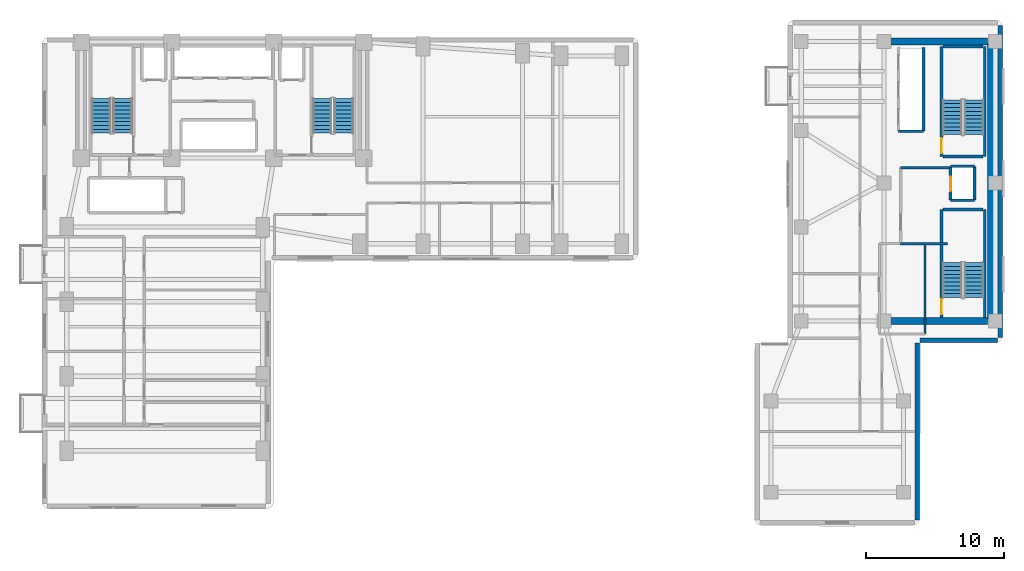
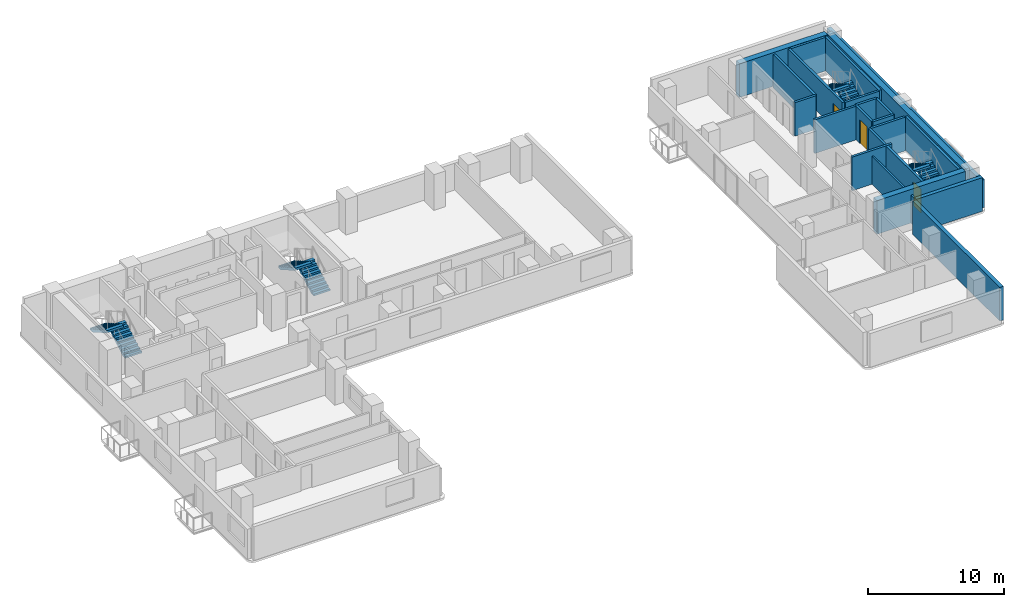
# One storey, part 13 of 17: 22 walls, 8 stair flights, 3 doors, 3 openings, 4 elements without a shape of their own.
"""IFC4 building model written with IfcOpenShell, lengths in metres."""

import ifcopenshell
import ifcopenshell.guid

model = None  # the IFC model being written
_history = None  # IfcOwnerHistory: only IFC2X3 demands one
_inside = {}  # id of a spatial element -> (the spatial element, [elements in it])
_under = {}  # id of a project, library or spatial element -> (it, [spatial elements below it])
_declared = {}  # id of a project -> (the project, [libraries it declares])
_typed = {}  # id of a type object -> (the type object, [elements of that type])
_made_of = {}  # id of a material, layer set ... -> (it, [elements and type objects made of it])


def new_model(schema):
    """Start an empty IFC model of exactly this schema.

    Asked for "IFC4X3", IfcOpenShell would pick the latest addendum, in which some entities
    have other attributes; the version numbers below select the first issue.
    IFC2X3 requires an IfcOwnerHistory on every rooted entity: one is made here for all.
    """
    global model, _history
    if schema == "IFC4X3":
        model = ifcopenshell.file(schema_version=(4, 3, 0, 0))
    else:
        model = ifcopenshell.file(schema=schema)
    _inside.clear()
    _under.clear()
    _declared.clear()
    _typed.clear()
    _made_of.clear()
    _history = None
    if model.schema == "IFC2X3":
        org = make("IfcOrganization", Name="unknown")
        user = make(
            "IfcPersonAndOrganization",
            ThePerson=make("IfcPerson", FamilyName="unknown"),
            TheOrganization=org,
        )
        app = make(
            "IfcApplication",
            ApplicationDeveloper=org,
            Version="unknown",
            ApplicationFullName="unknown",
            ApplicationIdentifier="unknown",
        )
        _history = make(
            "IfcOwnerHistory",
            OwningUser=user,
            OwningApplication=app,
            ChangeAction="ADDED",
            CreationDate=0,
        )
    return model


def make(cls, **values):
    """One entity of the class cls with the attributes given. An attribute that is None is left unset."""
    return model.create_entity(
        cls, **{name: value for name, value in values.items() if value is not None}
    )


def rooted(cls, **values):
    """An entity with a GlobalId (a new one), such as an element, a storey or a relation."""
    return make(cls, GlobalId=ifcopenshell.guid.new(), OwnerHistory=_history, **values)


def si_unit(unit_type, name, prefix=None):
    """IfcSIUnit, for example si_unit("LENGTHUNIT", "METRE", prefix="MILLI")."""
    return make("IfcSIUnit", UnitType=unit_type, Prefix=prefix, Name=name)


def assignment(units):
    """IfcUnitAssignment: the units of a project."""
    return None if units is None else make("IfcUnitAssignment", Units=units)


def point(xyz):
    """IfcCartesianPoint."""
    return None if xyz is None else make("IfcCartesianPoint", Coordinates=xyz)


def direction(xyz):
    """IfcDirection."""
    return None if xyz is None else make("IfcDirection", DirectionRatios=xyz)


def frame(location, z_axis=None, x_axis=None):
    """IfcAxis2Placement3D, a coordinate frame: its origin and axes. An axis left out is left unset."""
    return make(
        "IfcAxis2Placement3D",
        Location=point(location),
        Axis=direction(z_axis),
        RefDirection=direction(x_axis),
    )


def frame_2d(location, x_axis=None):
    """IfcAxis2Placement2D, a coordinate frame in the plane: its origin and x axis."""
    return make(
        "IfcAxis2Placement2D", Location=point(location), RefDirection=direction(x_axis)
    )


def origin():
    """The frame at (0, 0, 0) with its axes left unset."""
    return frame((0.0, 0.0, 0.0))


def place(relative_to, where):
    """IfcLocalPlacement: puts the frame where relative to a parent placement (None: the world)."""
    return make(
        "IfcLocalPlacement", PlacementRelTo=relative_to, RelativePlacement=where
    )


def context(
    kind, dimensions, precision=None, world=None, true_north=None, identifier=None
):
    """IfcGeometricRepresentationContext, for example the 3D "Model" context."""
    return make(
        "IfcGeometricRepresentationContext",
        ContextIdentifier=identifier,
        ContextType=kind,
        CoordinateSpaceDimension=dimensions,
        Precision=precision,
        WorldCoordinateSystem=world,
        TrueNorth=true_north,
    )


def subcontext(parent, identifier, kind, view, scale=None):
    """IfcGeometricRepresentationSubContext, for example "Body" below "Model"."""
    return make(
        "IfcGeometricRepresentationSubContext",
        ContextIdentifier=identifier,
        ContextType=kind,
        ParentContext=parent,
        TargetScale=scale,
        TargetView=view,
    )


def project(units=None, contexts=None):
    """IfcProject with its units and contexts."""
    return rooted(
        "IfcProject",
        Name="project",
        RepresentationContexts=contexts,
        UnitsInContext=assignment(units),
    )


def spatial(cls, under=None, at=None, **own):
    """A site, building, storey or space (cls), placed at a placement, below another one or the project."""
    s = rooted(cls, ObjectPlacement=at, **own)
    if under is not None:
        _under.setdefault(under.id(), (under, []))[1].append(s)
    return s


def polyline(points):
    """IfcPolyline through the points."""
    return make("IfcPolyline", Points=[point(p) for p in points])


def profile(cls, at=None, kind="AREA", **sizes):
    """A parametric profile (cls). Its sizes go by their IFC names, for example OverallWidth=200.0."""
    return make(cls, ProfileType=kind, Position=at, **sizes)


def rectangle(**sizes):
    """IfcRectangleProfileDef."""
    return profile("IfcRectangleProfileDef", **sizes)


def outline(outer, holes=None, kind="AREA"):
    """IfcArbitraryClosedProfileDef: a profile drawn as a closed curve; with holes, ...WithVoids."""
    if holes is None:
        return make("IfcArbitraryClosedProfileDef", ProfileType=kind, OuterCurve=outer)
    return make(
        "IfcArbitraryProfileDefWithVoids",
        ProfileType=kind,
        OuterCurve=outer,
        InnerCurves=holes,
    )


def extrude(swept, where, along, depth):
    """IfcExtrudedAreaSolid: the profile swept, set in the frame where, extruded along a direction by depth."""
    return make(
        "IfcExtrudedAreaSolid",
        SweptArea=swept,
        Position=where,
        ExtrudedDirection=direction(along),
        Depth=depth,
    )


def shape(context_of_items, identifier, shape_type, items):
    """IfcShapeRepresentation: the items that make up one representation, for example the "Body"."""
    return make(
        "IfcShapeRepresentation",
        ContextOfItems=context_of_items,
        RepresentationIdentifier=identifier,
        RepresentationType=shape_type,
        Items=items,
    )


def material(Name=None, Category=None):
    """IfcMaterial."""
    return make("IfcMaterial", Name=Name, Category=Category)


def layer(
    of_material, thickness, ventilated=None, Name=None, Category=None, Priority=None
):
    """IfcMaterialLayer: one layer of a wall or slab, of a material (None: an air gap)."""
    return make(
        "IfcMaterialLayer",
        Material=of_material,
        LayerThickness=thickness,
        IsVentilated=ventilated,
        Name=Name,
        Category=Category,
        Priority=Priority,
    )


def layer_set(layers, Name=None):
    """IfcMaterialLayerSet."""
    return make("IfcMaterialLayerSet", MaterialLayers=layers, LayerSetName=Name)


def made_of(thing, what):
    """Note that an element or type object is made of a material, layer set ...; save() writes the relation."""
    if what is not None:
        _made_of.setdefault(what.id(), (what, []))[1].append(thing)
    return thing


def type_object(cls, material=None, **own):
    """A type object (cls), such as IfcWallType, which elements share."""
    return made_of(rooted(cls, **own), material)


def element(
    cls,
    number,
    at=None,
    inside=None,
    cuts=None,
    type_object=None,
    material=None,
    context=None,
    identifier="Body",
    shape_type=None,
    held_by="IfcProductDefinitionShape",
    body=None,
    shapes=None,
    **own,
):
    """One element of the class cls, such as IfcWall. Its Tag is "e" and its number.

    at: its placement. inside: the storey or other place that contains it. cuts: it is an
    opening in that element (IfcRelVoidsElement). A single representation is given by context,
    identifier, shape_type and body (its items); several are given by shapes. held_by: the class
    of the entity that holds the representations. save() writes the other relations.
    """
    e = rooted(cls, Tag="e%d" % number, ObjectPlacement=at, **own)
    if body is not None:
        shapes = [shape(context, identifier, shape_type, body)]
    if shapes is not None:
        e.Representation = make(held_by, Representations=shapes)
    if inside is not None:
        _inside.setdefault(inside.id(), (inside, []))[1].append(e)
    if cuts is not None:
        rooted(
            "IfcRelVoidsElement", RelatingBuildingElement=cuts, RelatedOpeningElement=e
        )
    if type_object is not None:
        _typed.setdefault(type_object.id(), (type_object, []))[1].append(e)
    return made_of(e, material)


def fill(opening, filler):
    """IfcRelFillsElement: the door or window that sits in an opening."""
    return rooted(
        "IfcRelFillsElement",
        RelatingOpeningElement=opening,
        RelatedBuildingElement=filler,
    )


def aggregate(whole, parts):
    """IfcRelAggregates: a whole, such as a stair, and the parts it consists of."""
    return rooted("IfcRelAggregates", RelatingObject=whole, RelatedObjects=parts)


def save(model, path):
    """Write the relations noted so far, then the file.

    IfcRelAggregates (storeys below a building ...), IfcRelContainedInSpatialStructure (elements
    in a storey), IfcRelDefinesByType, IfcRelAssociatesMaterial and IfcRelDeclares: one each for
    every whole, place, type object, material and project.
    """
    for whole, parts in _under.values():
        aggregate(whole, parts)
    for where, things in _inside.values():
        rooted(
            "IfcRelContainedInSpatialStructure",
            RelatedElements=things,
            RelatingStructure=where,
        )
    for kind, things in _typed.values():
        rooted("IfcRelDefinesByType", RelatedObjects=things, RelatingType=kind)
    for what, things in _made_of.values():
        rooted("IfcRelAssociatesMaterial", RelatedObjects=things, RelatingMaterial=what)
    for by, libraries in _declared.values():
        rooted("IfcRelDeclares", RelatingContext=by, RelatedDefinitions=libraries)
    model.write(path)


model = new_model("IFC4")

# Units and contexts
model_context = context("Model", 3, precision=1e-05, world=origin(), true_north=direction((0.0, 1.0)))
body_context = subcontext(model_context, "Body", "Model", "MODEL_VIEW")
ifc_project = project(units=[si_unit("LENGTHUNIT", "METRE"), si_unit("AREAUNIT", "SQUARE_METRE"), si_unit("VOLUMEUNIT", "CUBIC_METRE"), si_unit("PLANEANGLEUNIT", "RADIAN"), si_unit("MASSUNIT", "GRAM", prefix="KILO")], contexts=[model_context])

# Site, building, storey
site_placement = place(None, origin())
site = spatial("IfcSite", under=ifc_project, at=site_placement, CompositionType="ELEMENT")
building_placement = place(site_placement, origin())
building = spatial("IfcBuilding", under=site, at=building_placement, Name="Kuzgunbayir Cultural Tower", CompositionType="ELEMENT")
storey_placement = place(building_placement, frame((0.0, 0.0, 50.0)))
storey = spatial("IfcBuildingStorey", under=building, at=storey_placement, Name="L13", CompositionType="ELEMENT", Elevation=50.0)

# Walls
ifc_material_1 = material(Name="Travertine Buff Ashlar", Category="masonry")
ifc_layer_1 = layer(ifc_material_1, 0.320068359375)
ifc_layer_set_1 = layer_set([ifc_layer_1], Name="Travertine Buff Ashlar")
wall_type_1 = type_object("IfcWallType", Name="WAL-EXT-STONE-320", PredefinedType="STANDARD", material=ifc_layer_set_1)
wall_1_placement = place(storey_placement, frame((73.0, 20.800048828125, 0.0), z_axis=(0.0, 0.0, 1.0), x_axis=(0.0, 1.0, 0.0)))
element("IfcWall", 1, at=wall_1_placement, inside=storey, type_object=wall_type_1, Name="L13 Companion East Limestone Wall", PredefinedType="STANDARD", context=body_context, shape_type="SweptSolid", body=[
    extrude(rectangle(XDim=22.599853515625, YDim=0.320068359375, at=frame_2d((11.2998046875, 0.0))), origin(), (0.0, 0.0, 1.0), 2.510009765625),
])
wall_2_placement = place(storey_placement, frame((67.0, 7.60009765625, 0.0), z_axis=(0.0, 0.0, 1.0), x_axis=(0.0, 1.0, 0.0)))
element("IfcWall", 2, at=wall_2_placement, inside=storey, type_object=wall_type_1, Name="L13 Companion Wing B East Wall", PredefinedType="STANDARD", context=body_context, shape_type="SweptSolid", body=[
    extrude(rectangle(XDim=12.7998046875, YDim=0.320068359375, at=frame_2d((6.39990234375, 0.0))), origin(), (0.0, 0.0, 1.0), 3.02001953125),
])
wall_3_placement = place(storey_placement, frame((67.199951171875, 20.60009765625, 0.0), z_axis=(0.0, 0.0, 1.0), x_axis=(1.0, 0.0, 0.0)))
element("IfcWall", 3, at=wall_3_placement, inside=storey, type_object=wall_type_1, Name="L13 Companion South-East Link", PredefinedType="STANDARD", context=body_context, shape_type="SweptSolid", body=[
    extrude(rectangle(XDim=5.60009765625, YDim=0.320068359375, at=frame_2d((2.800048828125, 0.0))), origin(), (0.0, 0.0, 1.0), 3.02001953125),
])
ifc_material_2 = material(Name="Acoustic Double-Stud Drywall", Category="gypsum")
ifc_layer_2 = layer(ifc_material_2, 0.14990234375)
ifc_layer_set_2 = layer_set([ifc_layer_2], Name="Acoustic Double-Stud Drywall")
wall_type_2 = type_object("IfcWallType", Name="WAL-PART-ACOUSTIC-150", PredefinedType="PARTITIONING", material=ifc_layer_set_2)
wall_4_placement = place(storey_placement, frame((67.550048828125, 21.050048828125, 0.0), z_axis=(0.0, 0.0, 1.0), x_axis=(0.0, 1.0, 0.0)))
element("IfcWall", 4, at=wall_4_placement, inside=storey, type_object=wall_type_2, Name="L13 Companion Archive East Wall", PredefinedType="PARTITIONING", context=body_context, shape_type="SweptSolid", body=[
    extrude(rectangle(XDim=6.469970703125, YDim=0.14990234375, at=frame_2d((3.23486328125, 0.0))), origin(), (0.0, 0.0, 1.0), 2.510009765625),
])
ifc_material_3 = material(Name="Aerated Concrete Blockwork", Category="masonry")
ifc_layer_3 = layer(ifc_material_3, 0.199951171875)
ifc_layer_set_3 = layer_set([ifc_layer_3], Name="Aerated Concrete Blockwork")
wall_type_3 = type_object("IfcWallType", Name="WAL-PART-FIRE-200", PredefinedType="PARTITIONING", material=ifc_layer_set_3)
wall_5_placement = place(storey_placement, frame((65.800048828125, 33.10009765625, 0.0), z_axis=(0.0, 0.0, 1.0), x_axis=(1.0, 0.0, 0.0)))
element("IfcWall", 5, at=wall_5_placement, inside=storey, type_object=wall_type_3, Name="L13 FFL-3 Lobby North Fire Wall", PredefinedType="PARTITIONING", context=body_context, shape_type="SweptSolid", body=[
    extrude(rectangle(XDim=3.599853515625, YDim=0.199951171875, at=frame_2d((1.7998046875, 0.0))), origin(), (0.0, 0.0, 1.0), 3.02001953125),
])
wall_6_placement = place(storey_placement, frame((65.800048828125, 27.60009765625, 0.0), z_axis=(0.0, 0.0, 1.0), x_axis=(1.0, 0.0, 0.0)))
element("IfcWall", 6, at=wall_6_placement, inside=storey, type_object=wall_type_3, Name="L13 FFL-3 Lobby South Fire Wall", PredefinedType="PARTITIONING", context=body_context, shape_type="SweptSolid", body=[
    extrude(rectangle(XDim=3.39990234375, YDim=0.199951171875, at=frame_2d((1.699951171875, 0.0))), origin(), (0.0, 0.0, 1.0), 3.02001953125),
])
ifc_material_4 = material(Name="Concrete C40/50", Category="concrete")
ifc_layer_4 = layer(ifc_material_4, 0.199951171875)
ifc_layer_set_4 = layer_set([ifc_layer_4], Name="Concrete C40/50")
wall_type_4 = type_object("IfcWallType", Name="WAL-SHAFT-200", PredefinedType="MOVABLE", material=ifc_layer_set_4)
wall_7_placement = place(storey_placement, frame((67.449951171875, 35.75, 0.0), z_axis=(0.0, 0.0, 1.0), x_axis=(0.0, 1.0, 0.0)))
element("IfcWall", 7, at=wall_7_placement, inside=storey, type_object=wall_type_4, Name="L13 Companion Lift Shaft Back Wall", PredefinedType="MOVABLE", context=body_context, shape_type="SweptSolid", body=[
    extrude(rectangle(XDim=6.050048828125, YDim=0.199951171875, at=frame_2d((3.02490234375, 0.0))), origin(), (0.0, 0.0, 1.0), 3.02001953125),
])
wall_8_placement = place(storey_placement, frame((65.64990234375, 35.75, 0.0), z_axis=(0.0, 0.0, 1.0), x_axis=(1.0, 0.0, 0.0)))
element("IfcWall", 8, at=wall_8_placement, inside=storey, type_object=wall_type_4, Name="L13 Companion Lift Shaft South Wall", PredefinedType="MOVABLE", context=body_context, shape_type="SweptSolid", body=[
    extrude(rectangle(XDim=1.800048828125, YDim=0.199951171875, at=frame_2d((0.89990234375, 0.0))), origin(), (0.0, 0.0, 1.0), 3.02001953125),
])

# Wall, opening, door
wall_9_placement = place(storey_placement, frame((69.39990234375, 30.75, 0.0), z_axis=(0.0, 0.0, 1.0), x_axis=(0.0, 1.0, 0.0)))
wall_9 = element("IfcWall", 9, at=wall_9_placement, inside=storey, type_object=wall_type_4, Name="L13 FFL-3 Lift Front Wall", PredefinedType="MOVABLE", context=body_context, shape_type="SweptSolid", body=[
    extrude(rectangle(XDim=2.449951171875, YDim=0.199951171875, at=frame_2d((1.22509765625, 0.0))), origin(), (0.0, 0.0, 1.0), 3.02001953125),
])
opening_1_placement = place(wall_9_placement, frame((0.64990234375, 0.0, 0.0)))
opening_1 = element("IfcOpeningElement", 10, at=opening_1_placement, cuts=wall_9, Name="Opening LD", PredefinedType="OPENING", context=body_context, shape_type="SweptSolid", body=[
    extrude(rectangle(XDim=1.050048828125, YDim=2.14990234375, at=frame_2d((0.52490234375, 1.074951171875))), frame((0.0, 0.10986328125, 0.0), z_axis=(0.0, -1.0, 0.0), x_axis=(1.0, 0.0, 0.0)), (0.0, 0.0, 1.0), 0.219970703125),
])
ifc_material_5 = material(Name="Brushed Stainless Steel", Category="steel")
door_type_1 = type_object("IfcDoorType", Name="DR-LIFT-LANDING", OperationType="SLIDING_TO_LEFT", PredefinedType="DOOR", material=ifc_material_5)
door_1_placement = place(opening_1_placement, origin())
door_1 = element("IfcDoor", 11, at=door_1_placement, inside=storey, type_object=door_type_1, Name="L13 Lift FFL-3 Landing Door", OperationType="SLIDING_TO_LEFT", OverallHeight=2.14990234375, OverallWidth=1.050048828125, PredefinedType="DOOR", context=body_context, shape_type="SweptSolid", body=[
    extrude(rectangle(XDim=1.050048828125, YDim=2.14990234375, at=frame_2d((0.52490234375, 1.074951171875))), frame((0.0, 0.02490234375, 0.0), z_axis=(0.0, -1.0, 0.0), x_axis=(1.0, 0.0, 0.0)), (0.0, 0.0, 1.0), 0.050048828125),
])
fill(opening_1, door_1)

# Walls
wall_10_placement = place(storey_placement, frame((71.14990234375, 30.75, 0.0), z_axis=(0.0, 0.0, 1.0), x_axis=(0.0, 1.0, 0.0)))
element("IfcWall", 12, at=wall_10_placement, inside=storey, type_object=wall_type_4, Name="L13 FFL-3 Shaft Back Wall", PredefinedType="MOVABLE", context=body_context, shape_type="SweptSolid", body=[
    extrude(rectangle(XDim=2.449951171875, YDim=0.199951171875, at=frame_2d((1.22509765625, 0.0))), origin(), (0.0, 0.0, 1.0), 3.02001953125),
])
for number, where, z_axis, x_axis, name in (
    (13, (69.39990234375, 33.199951171875, 0.0), (0.0, 0.0, 1.0), (1.0, 0.0, 0.0), "L13 FFL-3 Shaft North Wall"),
    (14, (69.39990234375, 30.75, 0.0), (0.0, 0.0, 1.0), (1.0, 0.0, 0.0), "L13 FFL-3 Shaft South Wall"),
):
    element("IfcWall", number, at=place(storey_placement, frame(where, z_axis=z_axis, x_axis=x_axis)), inside=storey, type_object=wall_type_4, Name=name, PredefinedType="MOVABLE", context=body_context, shape_type="SweptSolid", body=[
        extrude(rectangle(XDim=1.75, YDim=0.199951171875, at=frame_2d((0.875, 0.0))), origin(), (0.0, 0.0, 1.0), 3.02001953125),
    ])

# Wall, opening, door
ifc_layer_5 = layer(ifc_material_4, 0.199951171875)
ifc_layer_set_5 = layer_set([ifc_layer_5], Name="Concrete C40/50")
wall_type_5 = type_object("IfcWallType", Name="WAL-STAIR-RC-200", PredefinedType="SHEAR", material=ifc_layer_set_5)
wall_11_placement = place(storey_placement, frame((68.760009765625, 22.260009765625, 0.0), z_axis=(0.0, 0.0, 1.0), x_axis=(0.0, 1.0, 0.0)))
wall_11 = element("IfcWall", 15, at=wall_11_placement, inside=storey, type_object=wall_type_5, Name="L13 Stair ST-3 West Structural Wall", PredefinedType="SHEAR", context=body_context, shape_type="SweptSolid", body=[
    extrude(rectangle(XDim=7.820068359375, YDim=0.199951171875, at=frame_2d((3.91015625, 0.0))), origin(), (0.0, 0.0, 1.0), 3.02001953125),
])
opening_2_placement = place(wall_11_placement, frame((0.219970703125, 0.0, 0.0)))
opening_2 = element("IfcOpeningElement", 16, at=opening_2_placement, cuts=wall_11, Name="Opening DR-STAIR-90", PredefinedType="OPENING", context=body_context, shape_type="SweptSolid", body=[
    extrude(rectangle(XDim=1.10009765625, YDim=2.14990234375, at=frame_2d((0.550048828125, 1.074951171875))), frame((0.0, 0.10986328125, 0.0), z_axis=(0.0, -1.0, 0.0), x_axis=(1.0, 0.0, 0.0)), (0.0, 0.0, 1.0), 0.219970703125),
])
ifc_material_6 = material(Name="Steel S355J2", Category="steel")
door_type_2 = type_object("IfcDoorType", Name="DR-STAIR-90", OperationType="NOTDEFINED", PredefinedType="DOOR", material=ifc_material_6)
door_2_placement = place(opening_2_placement, origin())
door_2 = element("IfcDoor", 17, at=door_2_placement, inside=storey, type_object=door_type_2, Name="L13 Stair ST-3 Fire Door", OperationType="SINGLE_SWING_LEFT", OverallHeight=2.14990234375, OverallWidth=1.10009765625, PredefinedType="DOOR", context=body_context, shape_type="SweptSolid", body=[
    extrude(rectangle(XDim=1.10009765625, YDim=2.14990234375, at=frame_2d((0.550048828125, 1.074951171875))), frame((0.0, 0.02490234375, 0.0), z_axis=(0.0, -1.0, 0.0), x_axis=(1.0, 0.0, 0.0)), (0.0, 0.0, 1.0), 0.050048828125),
])
fill(opening_2, door_2)

# Walls
wall_12_placement = place(storey_placement, frame((71.8798828125, 22.260009765625, 0.0), z_axis=(0.0, 0.0, 1.0), x_axis=(0.0, 1.0, 0.0)))
element("IfcWall", 18, at=wall_12_placement, inside=storey, type_object=wall_type_5, Name="L13 Stair ST-3 East Structural Wall", PredefinedType="SHEAR", context=body_context, shape_type="SweptSolid", body=[
    extrude(rectangle(XDim=7.820068359375, YDim=0.199951171875, at=frame_2d((3.91015625, 0.0))), origin(), (0.0, 0.0, 1.0), 3.02001953125),
])
wall_13_placement = place(storey_placement, frame((68.8798828125, 30.080078125, 0.0), z_axis=(0.0, 0.0, 1.0), x_axis=(1.0, 0.0, 0.0)))
element("IfcWall", 19, at=wall_13_placement, inside=storey, type_object=wall_type_5, Name="L13 Stair ST-3 North Structural Wall", PredefinedType="SHEAR", context=body_context, shape_type="SweptSolid", body=[
    extrude(rectangle(XDim=2.880126953125, YDim=0.199951171875, at=frame_2d((1.43994140625, 0.0))), origin(), (0.0, 0.0, 1.0), 3.02001953125),
])

# Wall, opening, door
wall_14_placement = place(storey_placement, frame((68.760009765625, 33.919921875, 0.0), z_axis=(0.0, 0.0, 1.0), x_axis=(0.0, 1.0, 0.0)))
wall_14 = element("IfcWall", 20, at=wall_14_placement, inside=storey, type_object=wall_type_5, Name="L13 Stair ST-4 West Structural Wall", PredefinedType="SHEAR", context=body_context, shape_type="SweptSolid", body=[
    extrude(rectangle(XDim=7.9599609375, YDim=0.199951171875, at=frame_2d((3.97998046875, 0.0))), origin(), (0.0, 0.0, 1.0), 3.02001953125),
])
opening_3_placement = place(wall_14_placement, frame((0.219970703125, 0.0, 0.0)))
opening_3 = element("IfcOpeningElement", 21, at=opening_3_placement, cuts=wall_14, Name="Opening DR-STAIR-90", PredefinedType="OPENING", context=body_context, shape_type="SweptSolid", body=[
    extrude(rectangle(XDim=1.10009765625, YDim=2.14990234375, at=frame_2d((0.550048828125, 1.074951171875))), frame((0.0, 0.10986328125, 0.0), z_axis=(0.0, -1.0, 0.0), x_axis=(1.0, 0.0, 0.0)), (0.0, 0.0, 1.0), 0.219970703125),
])
door_3_placement = place(opening_3_placement, origin())
door_3 = element("IfcDoor", 22, at=door_3_placement, inside=storey, type_object=door_type_2, Name="L13 Stair ST-4 Fire Door", OperationType="SINGLE_SWING_RIGHT", OverallHeight=2.14990234375, OverallWidth=1.10009765625, PredefinedType="DOOR", context=body_context, shape_type="SweptSolid", body=[
    extrude(rectangle(XDim=1.10009765625, YDim=2.14990234375, at=frame_2d((0.550048828125, 1.074951171875))), frame((0.0, 0.02490234375, 0.0), z_axis=(0.0, -1.0, 0.0), x_axis=(1.0, 0.0, 0.0)), (0.0, 0.0, 1.0), 0.050048828125),
])
fill(opening_3, door_3)

# Walls
wall_15_placement = place(storey_placement, frame((71.8798828125, 33.919921875, 0.0), z_axis=(0.0, 0.0, 1.0), x_axis=(0.0, 1.0, 0.0)))
element("IfcWall", 23, at=wall_15_placement, inside=storey, type_object=wall_type_5, Name="L13 Stair ST-4 East Structural Wall", PredefinedType="SHEAR", context=body_context, shape_type="SweptSolid", body=[
    extrude(rectangle(XDim=7.9599609375, YDim=0.199951171875, at=frame_2d((3.97998046875, 0.0))), origin(), (0.0, 0.0, 1.0), 3.02001953125),
])
for number, where, z_axis, x_axis, name in (
    (24, (68.8798828125, 41.8798828125, 0.0), (0.0, 0.0, 1.0), (1.0, 0.0, 0.0), "L13 Stair ST-4 North Structural Wall"),
    (25, (68.8798828125, 33.919921875, 0.0), (0.0, 0.0, 1.0), (1.0, 0.0, 0.0), "L13 Stair ST-4 South Structural Wall"),
):
    element("IfcWall", number, at=place(storey_placement, frame(where, z_axis=z_axis, x_axis=x_axis)), inside=storey, type_object=wall_type_5, Name=name, PredefinedType="SHEAR", context=body_context, shape_type="SweptSolid", body=[
        extrude(rectangle(XDim=2.880126953125, YDim=0.199951171875, at=frame_2d((1.43994140625, 0.0))), origin(), (0.0, 0.0, 1.0), 3.02001953125),
    ])
ifc_material_7 = material(Name="Concrete C60/75", Category="concrete")
ifc_layer_6 = layer(ifc_material_7, 0.5)
ifc_layer_set_6 = layer_set([ifc_layer_6], Name="Concrete C60/75")
wall_type_6 = type_object("IfcWallType", Name="WAL-T2-CORE-500", PredefinedType="SHEAR", material=ifc_layer_set_6)
wall_16_placement = place(storey_placement, frame((72.35009765625, 22.0, 0.0), z_axis=(0.0, 0.0, 1.0), x_axis=(0.0, 1.0, 0.0)))
element("IfcWall", 26, at=wall_16_placement, inside=storey, type_object=wall_type_6, Name="L13 Companion Core East Shear Wall", PredefinedType="SHEAR", context=body_context, shape_type="SweptSolid", body=[
    extrude(rectangle(XDim=20.25, YDim=0.5, at=frame_2d((10.125, 0.0))), origin(), (0.0, 0.0, 1.0), 3.02001953125),
])
for number, where, z_axis, x_axis, name in (
    (27, (64.60009765625, 42.25, 0.0), (0.0, 0.0, 1.0), (1.0, 0.0, 0.0), "L13 Companion Core North Shear Wall"),
    (28, (64.60009765625, 22.0, 0.0), (0.0, 0.0, 1.0), (1.0, 0.0, 0.0), "L13 Companion Core South Shear Wall"),
):
    element("IfcWall", number, at=place(storey_placement, frame(where, z_axis=z_axis, x_axis=x_axis)), inside=storey, type_object=wall_type_6, Name=name, PredefinedType="SHEAR", context=body_context, shape_type="SweptSolid", body=[
        extrude(rectangle(XDim=7.5, YDim=0.5, at=frame_2d((3.75, 0.0))), origin(), (0.0, 0.0, 1.0), 3.02001953125),
    ])

# Stair, stair flights
stair_type = type_object("IfcStairType", Name="STR-EXIT-CORE", PredefinedType="HALF_TURN_STAIR", material=ifc_material_4)
stair_1_placement = place(storey_placement, origin())
stair_1 = element("IfcStair", 29, at=stair_1_placement, inside=storey, type_object=stair_type, Name="L13 ST-1", PredefinedType="HALF_TURN_STAIR")
stair_flight_type = type_object("IfcStairFlightType", Name="STRF-RC-140", PredefinedType="STRAIGHT", material=ifc_material_4)
stair_flight_1_placement = place(storey_placement, frame((9.4599609375, 35.60009765625, 0.0), z_axis=(0.0, 0.0, 1.0), x_axis=(0.0, 1.0, 0.0)))
stair_flight_1 = element("IfcStairFlight", 30, at=stair_flight_1_placement, type_object=stair_flight_type, Name="ST-1 flight 1", NumberOfRisers=10, NumberOfTreads=9, PredefinedType="STRAIGHT", RiserHeight=0.16, TreadLength=0.28, context=body_context, shape_type="SweptSolid", body=[
    extrude(outline(polyline([(0.0, 0.0), (0.0, 0.159912109375), (0.280029296875, 0.159912109375), (0.280029296875, 0.320068359375), (0.56005859375, 0.320068359375), (0.56005859375, 0.47998046875), (0.840087890625, 0.47998046875), (0.840087890625, 0.639892578125), (1.1201171875, 0.639892578125), (1.1201171875, 0.800048828125), (1.39990234375, 0.800048828125), (1.39990234375, 0.9599609375), (1.679931640625, 0.9599609375), (1.679931640625, 1.1201171875), (1.9599609375, 1.1201171875), (1.9599609375, 1.280029296875), (2.239990234375, 1.280029296875), (2.239990234375, 1.43994140625), (2.52001953125, 1.43994140625), (2.52001953125, 1.60009765625), (2.52001953125, 1.232666015625), (0.362548828125, 0.0), (0.0, 0.0)])), frame((0.0, 0.699951171875, 0.0), z_axis=(0.0, -1.0, 0.0), x_axis=(1.0, 0.0, 0.0)), (0.0, 0.0, 1.0), 1.39990234375),
])
stair_flight_2_placement = place(storey_placement, frame((7.89990234375, 38.1201171875, 1.60009765625), z_axis=(0.0, 0.0, 1.0), x_axis=(0.0, -1.0, 0.0)))
stair_flight_2 = element("IfcStairFlight", 31, at=stair_flight_2_placement, type_object=stair_flight_type, Name="ST-1 flight 2", NumberOfRisers=10, NumberOfTreads=9, PredefinedType="STRAIGHT", RiserHeight=0.16, TreadLength=0.28, context=body_context, shape_type="SweptSolid", body=[
    extrude(outline(polyline([(0.0, 0.0), (0.0, 0.159912109375), (0.280029296875, 0.159912109375), (0.280029296875, 0.320068359375), (0.56005859375, 0.320068359375), (0.56005859375, 0.47998046875), (0.840087890625, 0.47998046875), (0.840087890625, 0.639892578125), (1.1201171875, 0.639892578125), (1.1201171875, 0.800048828125), (1.39990234375, 0.800048828125), (1.39990234375, 0.9599609375), (1.679931640625, 0.9599609375), (1.679931640625, 1.1201171875), (1.9599609375, 1.1201171875), (1.9599609375, 1.280029296875), (2.239990234375, 1.280029296875), (2.239990234375, 1.43994140625), (2.52001953125, 1.43994140625), (2.52001953125, 1.60009765625), (2.52001953125, 1.232666015625), (0.362548828125, 0.0), (0.0, 0.0)])), frame((0.0, 0.699951171875, 0.0), z_axis=(0.0, -1.0, 0.0), x_axis=(1.0, 0.0, 0.0)), (0.0, 0.0, 1.0), 1.39990234375),
])
aggregate(stair_1, [stair_flight_1, stair_flight_2])

stair_2_placement = place(storey_placement, origin())
stair_2 = element("IfcStair", 32, at=stair_2_placement, inside=storey, type_object=stair_type, Name="L13 ST-2", PredefinedType="HALF_TURN_STAIR")
stair_flight_3_placement = place(storey_placement, frame((25.4599609375, 35.60009765625, 0.0), z_axis=(0.0, 0.0, 1.0), x_axis=(0.0, 1.0, 0.0)))
stair_flight_3 = element("IfcStairFlight", 33, at=stair_flight_3_placement, type_object=stair_flight_type, Name="ST-2 flight 1", NumberOfRisers=10, NumberOfTreads=9, PredefinedType="STRAIGHT", RiserHeight=0.16, TreadLength=0.28, context=body_context, shape_type="SweptSolid", body=[
    extrude(outline(polyline([(0.0, 0.0), (0.0, 0.159912109375), (0.280029296875, 0.159912109375), (0.280029296875, 0.320068359375), (0.56005859375, 0.320068359375), (0.56005859375, 0.47998046875), (0.840087890625, 0.47998046875), (0.840087890625, 0.639892578125), (1.1201171875, 0.639892578125), (1.1201171875, 0.800048828125), (1.39990234375, 0.800048828125), (1.39990234375, 0.9599609375), (1.679931640625, 0.9599609375), (1.679931640625, 1.1201171875), (1.9599609375, 1.1201171875), (1.9599609375, 1.280029296875), (2.239990234375, 1.280029296875), (2.239990234375, 1.43994140625), (2.52001953125, 1.43994140625), (2.52001953125, 1.60009765625), (2.52001953125, 1.232666015625), (0.362548828125, 0.0), (0.0, 0.0)])), frame((0.0, 0.699951171875, 0.0), z_axis=(0.0, -1.0, 0.0), x_axis=(1.0, 0.0, 0.0)), (0.0, 0.0, 1.0), 1.39990234375),
])
stair_flight_4_placement = place(storey_placement, frame((23.89990234375, 38.1201171875, 1.60009765625), z_axis=(0.0, 0.0, 1.0), x_axis=(0.0, -1.0, 0.0)))
stair_flight_4 = element("IfcStairFlight", 34, at=stair_flight_4_placement, type_object=stair_flight_type, Name="ST-2 flight 2", NumberOfRisers=10, NumberOfTreads=9, PredefinedType="STRAIGHT", RiserHeight=0.16, TreadLength=0.28, context=body_context, shape_type="SweptSolid", body=[
    extrude(outline(polyline([(0.0, 0.0), (0.0, 0.159912109375), (0.280029296875, 0.159912109375), (0.280029296875, 0.320068359375), (0.56005859375, 0.320068359375), (0.56005859375, 0.47998046875), (0.840087890625, 0.47998046875), (0.840087890625, 0.639892578125), (1.1201171875, 0.639892578125), (1.1201171875, 0.800048828125), (1.39990234375, 0.800048828125), (1.39990234375, 0.9599609375), (1.679931640625, 0.9599609375), (1.679931640625, 1.1201171875), (1.9599609375, 1.1201171875), (1.9599609375, 1.280029296875), (2.239990234375, 1.280029296875), (2.239990234375, 1.43994140625), (2.52001953125, 1.43994140625), (2.52001953125, 1.60009765625), (2.52001953125, 1.232666015625), (0.362548828125, 0.0), (0.0, 0.0)])), frame((0.0, 0.699951171875, 0.0), z_axis=(0.0, -1.0, 0.0), x_axis=(1.0, 0.0, 0.0)), (0.0, 0.0, 1.0), 1.39990234375),
])
aggregate(stair_2, [stair_flight_3, stair_flight_4])

stair_3_placement = place(storey_placement, origin())
stair_3 = element("IfcStair", 35, at=stair_3_placement, inside=storey, type_object=stair_type, Name="L13 ST-3", PredefinedType="HALF_TURN_STAIR")
stair_flight_5_placement = place(storey_placement, frame((71.10009765625, 23.699951171875, 0.0), z_axis=(0.0, 0.0, 1.0), x_axis=(0.0, 1.0, 0.0)))
stair_flight_5 = element("IfcStairFlight", 36, at=stair_flight_5_placement, type_object=stair_flight_type, Name="ST-3 flight 1", NumberOfRisers=10, NumberOfTreads=9, PredefinedType="STRAIGHT", RiserHeight=0.16, TreadLength=0.28, context=body_context, shape_type="SweptSolid", body=[
    extrude(outline(polyline([(0.0, 0.0), (0.0, 0.159912109375), (0.280029296875, 0.159912109375), (0.280029296875, 0.320068359375), (0.56005859375, 0.320068359375), (0.56005859375, 0.47998046875), (0.840087890625, 0.47998046875), (0.840087890625, 0.639892578125), (1.1201171875, 0.639892578125), (1.1201171875, 0.800048828125), (1.39990234375, 0.800048828125), (1.39990234375, 0.9599609375), (1.679931640625, 0.9599609375), (1.679931640625, 1.1201171875), (1.9599609375, 1.1201171875), (1.9599609375, 1.280029296875), (2.239990234375, 1.280029296875), (2.239990234375, 1.43994140625), (2.52001953125, 1.43994140625), (2.52001953125, 1.60009765625), (2.52001953125, 1.232666015625), (0.362548828125, 0.0), (0.0, 0.0)])), frame((0.0, 0.699951171875, 0.0), z_axis=(0.0, -1.0, 0.0), x_axis=(1.0, 0.0, 0.0)), (0.0, 0.0, 1.0), 1.39990234375),
])
stair_flight_6_placement = place(storey_placement, frame((69.5400390625, 26.219970703125, 1.60009765625), z_axis=(0.0, 0.0, 1.0), x_axis=(0.0, -1.0, 0.0)))
stair_flight_6 = element("IfcStairFlight", 37, at=stair_flight_6_placement, type_object=stair_flight_type, Name="ST-3 flight 2", NumberOfRisers=10, NumberOfTreads=9, PredefinedType="STRAIGHT", RiserHeight=0.16, TreadLength=0.28, context=body_context, shape_type="SweptSolid", body=[
    extrude(outline(polyline([(0.0, 0.0), (0.0, 0.159912109375), (0.280029296875, 0.159912109375), (0.280029296875, 0.320068359375), (0.56005859375, 0.320068359375), (0.56005859375, 0.47998046875), (0.840087890625, 0.47998046875), (0.840087890625, 0.639892578125), (1.1201171875, 0.639892578125), (1.1201171875, 0.800048828125), (1.39990234375, 0.800048828125), (1.39990234375, 0.9599609375), (1.679931640625, 0.9599609375), (1.679931640625, 1.1201171875), (1.9599609375, 1.1201171875), (1.9599609375, 1.280029296875), (2.239990234375, 1.280029296875), (2.239990234375, 1.43994140625), (2.52001953125, 1.43994140625), (2.52001953125, 1.60009765625), (2.52001953125, 1.232666015625), (0.362548828125, 0.0), (0.0, 0.0)])), frame((0.0, 0.699951171875, 0.0), z_axis=(0.0, -1.0, 0.0), x_axis=(1.0, 0.0, 0.0)), (0.0, 0.0, 1.0), 1.39990234375),
])
aggregate(stair_3, [stair_flight_5, stair_flight_6])

stair_4_placement = place(storey_placement, origin())
stair_4 = element("IfcStair", 38, at=stair_4_placement, inside=storey, type_object=stair_type, Name="L13 ST-4", PredefinedType="HALF_TURN_STAIR")
stair_flight_7_placement = place(storey_placement, frame((71.10009765625, 35.5, 0.0), z_axis=(0.0, 0.0, 1.0), x_axis=(0.0, 1.0, 0.0)))
stair_flight_7 = element("IfcStairFlight", 39, at=stair_flight_7_placement, type_object=stair_flight_type, Name="ST-4 flight 1", NumberOfRisers=10, NumberOfTreads=9, PredefinedType="STRAIGHT", RiserHeight=0.16, TreadLength=0.28, context=body_context, shape_type="SweptSolid", body=[
    extrude(outline(polyline([(0.0, 0.0), (0.0, 0.159912109375), (0.280029296875, 0.159912109375), (0.280029296875, 0.320068359375), (0.56005859375, 0.320068359375), (0.56005859375, 0.47998046875), (0.840087890625, 0.47998046875), (0.840087890625, 0.639892578125), (1.1201171875, 0.639892578125), (1.1201171875, 0.800048828125), (1.39990234375, 0.800048828125), (1.39990234375, 0.9599609375), (1.679931640625, 0.9599609375), (1.679931640625, 1.1201171875), (1.9599609375, 1.1201171875), (1.9599609375, 1.280029296875), (2.239990234375, 1.280029296875), (2.239990234375, 1.43994140625), (2.52001953125, 1.43994140625), (2.52001953125, 1.60009765625), (2.52001953125, 1.232666015625), (0.362548828125, 0.0), (0.0, 0.0)])), frame((0.0, 0.699951171875, 0.0), z_axis=(0.0, -1.0, 0.0), x_axis=(1.0, 0.0, 0.0)), (0.0, 0.0, 1.0), 1.39990234375),
])
stair_flight_8_placement = place(storey_placement, frame((69.5400390625, 38.02001953125, 1.60009765625), z_axis=(0.0, 0.0, 1.0), x_axis=(0.0, -1.0, 0.0)))
stair_flight_8 = element("IfcStairFlight", 40, at=stair_flight_8_placement, type_object=stair_flight_type, Name="ST-4 flight 2", NumberOfRisers=10, NumberOfTreads=9, PredefinedType="STRAIGHT", RiserHeight=0.16, TreadLength=0.28, context=body_context, shape_type="SweptSolid", body=[
    extrude(outline(polyline([(0.0, 0.0), (0.0, 0.159912109375), (0.280029296875, 0.159912109375), (0.280029296875, 0.320068359375), (0.56005859375, 0.320068359375), (0.56005859375, 0.47998046875), (0.840087890625, 0.47998046875), (0.840087890625, 0.639892578125), (1.1201171875, 0.639892578125), (1.1201171875, 0.800048828125), (1.39990234375, 0.800048828125), (1.39990234375, 0.9599609375), (1.679931640625, 0.9599609375), (1.679931640625, 1.1201171875), (1.9599609375, 1.1201171875), (1.9599609375, 1.280029296875), (2.239990234375, 1.280029296875), (2.239990234375, 1.43994140625), (2.52001953125, 1.43994140625), (2.52001953125, 1.60009765625), (2.52001953125, 1.232666015625), (0.362548828125, 0.0), (0.0, 0.0)])), frame((0.0, 0.699951171875, 0.0), z_axis=(0.0, -1.0, 0.0), x_axis=(1.0, 0.0, 0.0)), (0.0, 0.0, 1.0), 1.39990234375),
])
aggregate(stair_4, [stair_flight_7, stair_flight_8])

save(model, "model.ifc")
